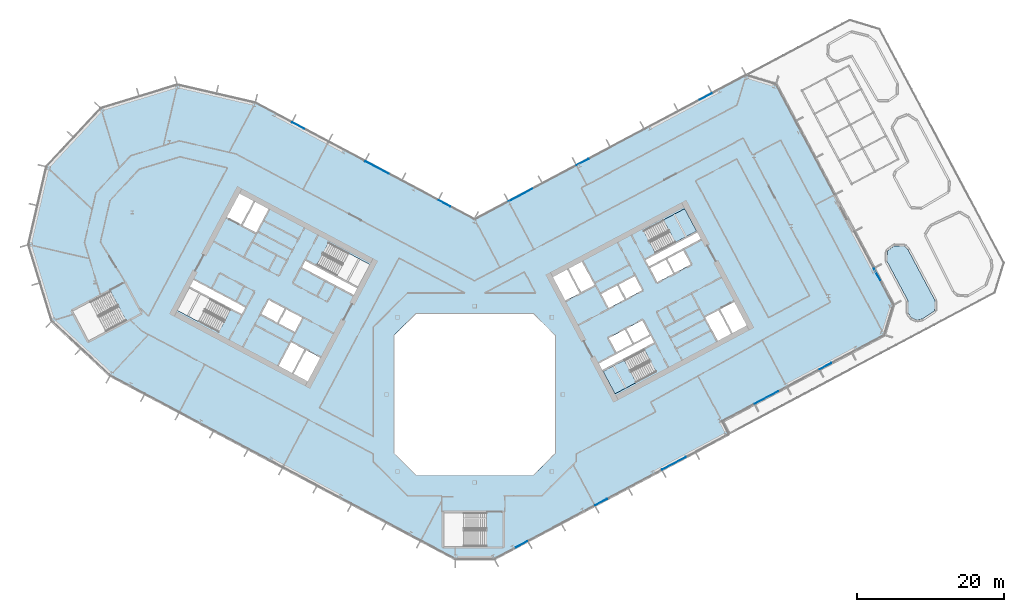
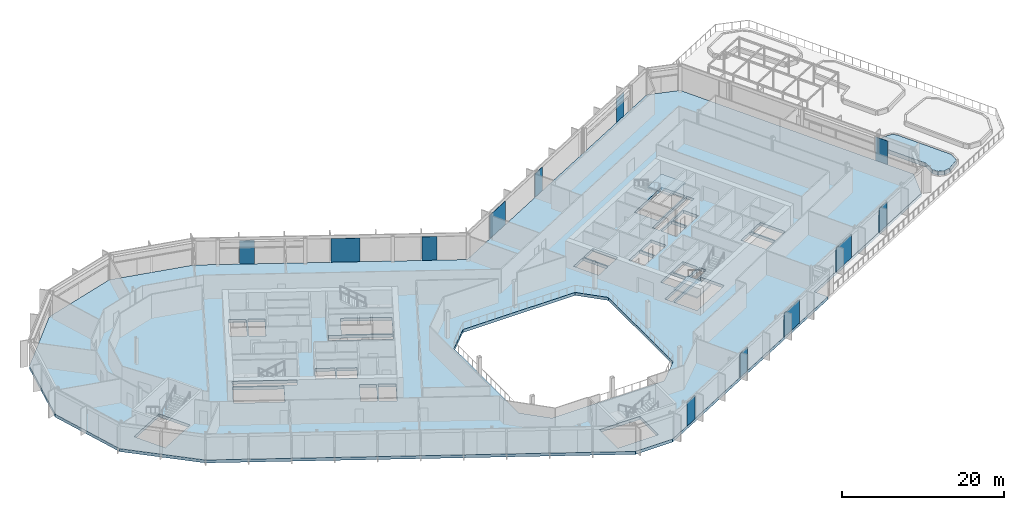
# One storey, part 15 of 34: 12 plates, 4 slabs, 7 elements without a shape of their own.
"""IFC4 building model written with IfcOpenShell, lengths in metres."""

from ifc_helpers import new_model, si_unit, direction, frame, origin, origin_2d, place, context, subcontext, project, spatial, polyline, rectangle, outline, extrude, material, layer, layer_set, type_object, element, aggregate, save


model = new_model("IFC4")

# Units and contexts
model_context = context("Model", 3, precision=1e-05, world=origin(), true_north=direction((0.0, 1.0)))
body_context = subcontext(model_context, "Body", "Model", "MODEL_VIEW")
ifc_project = project(units=[si_unit("LENGTHUNIT", "METRE"), si_unit("AREAUNIT", "SQUARE_METRE"), si_unit("VOLUMEUNIT", "CUBIC_METRE"), si_unit("PLANEANGLEUNIT", "RADIAN"), si_unit("MASSUNIT", "GRAM", prefix="KILO")], contexts=[model_context])

# Site, building, storey
site_placement = place(None, origin())
site = spatial("IfcSite", under=ifc_project, at=site_placement, CompositionType="ELEMENT")
building_placement = place(site_placement, origin())
building = spatial("IfcBuilding", under=site, at=building_placement, Name="Cormorant Relay Tower", CompositionType="ELEMENT")
storey_placement = place(building_placement, frame((0.0, 0.0, 118.199951171875)))
storey = spatial("IfcBuildingStorey", under=building, at=storey_placement, Name="L23", CompositionType="ELEMENT", Elevation=118.199951171875)

# Curtain wall, plates
ifc_material_1 = material(Name="Aluminium 6063-T6 anodised bronze", Category="aluminium")
ifc_layer_1 = layer(ifc_material_1, 0.199951171875)
ifc_layer_set_1 = layer_set([ifc_layer_1], Name="CW1 unitised bronze curtain wall with vertical fins")
curtain_wall_type = type_object("IfcCurtainWallType", Name="CW1 unitised bronze curtain wall with vertical fins", PredefinedType="NOTDEFINED", material=ifc_layer_set_1)
curtain_wall_1_placement = place(storey_placement, origin())
curtain_wall_1 = element("IfcCurtainWall", 1, at=curtain_wall_1_placement, inside=storey, type_object=curtain_wall_type, Name="CW1 curtain wall 2", PredefinedType="NOTDEFINED")
ifc_material_2 = material(Name="Tinted laminated glass", Category="glass")
ifc_layer_2 = layer(ifc_material_2, 0.0400390625)
ifc_layer_set_2 = layer_set([ifc_layer_2], Name="CW1 tinted vision panel 1800 module")
plate_type_1 = type_object("IfcPlateType", Name="CW1 tinted vision panel 1800 module", PredefinedType="CURTAIN_PANEL", material=ifc_layer_set_2)
plate_1_placement = place(storey_placement, frame((6.359130859375, -20.42529296875, 0.0), z_axis=(0.0, 0.0, 1.0), x_axis=(0.882947592859, 0.469471562786, 0.0)))
plate_1 = element("IfcPlate", 2, at=plate_1_placement, type_object=plate_type_1, Name="CW1 panel V01", PredefinedType="CURTAIN_PANEL", context=body_context, shape_type="SweptSolid", body=[
    extrude(rectangle(XDim=1.800048828125, YDim=0.0400390625, at=origin_2d()), origin(), (0.0, 0.0, 1.0), 3.550048828125),
])
plate_2_placement = place(storey_placement, frame((17.20458984375, -14.65869140625, 0.0), z_axis=(0.0, 0.0, 1.0), x_axis=(0.882947592859, 0.469471562786, 0.0)))
plate_2 = element("IfcPlate", 3, at=plate_2_placement, type_object=plate_type_1, Name="CW1 panel V03", PredefinedType="CURTAIN_PANEL", context=body_context, shape_type="SweptSolid", body=[
    extrude(rectangle(XDim=1.800048828125, YDim=0.0400390625, at=origin_2d()), origin(), (0.0, 0.0, 1.0), 3.550048828125),
])

# Curtain wall, plate
curtain_wall_2_placement = place(storey_placement, origin())
curtain_wall_2 = element("IfcCurtainWall", 4, at=curtain_wall_2_placement, inside=storey, type_object=curtain_wall_type, Name="CW1 curtain wall 4", PredefinedType="NOTDEFINED")
plate_3_placement = place(storey_placement, frame((47.757080078125, 3.851318359375, 0.0), z_axis=(0.0, 0.0, 1.0), x_axis=(0.882947592859, 0.469471562786, 0.0)))
plate_3 = element("IfcPlate", 5, at=plate_3_placement, type_object=plate_type_1, Name="CW1 panel V03", PredefinedType="CURTAIN_PANEL", context=body_context, shape_type="SweptSolid", body=[
    extrude(rectangle(XDim=1.800048828125, YDim=0.0400390625, at=origin_2d()), origin(), (0.0, 0.0, 1.0), 3.550048828125),
])

curtain_wall_3_placement = place(storey_placement, origin())
curtain_wall_3 = element("IfcCurtainWall", 6, at=curtain_wall_3_placement, inside=storey, type_object=curtain_wall_type, Name="CW1 curtain wall 6", PredefinedType="NOTDEFINED")
plate_4_placement = place(storey_placement, frame((54.771728515625, 16.315185546875, 0.0), z_axis=(0.0, 0.0, 1.0), x_axis=(-0.469471562786, 0.882947592859, 0.0)))
plate_4 = element("IfcPlate", 7, at=plate_4_placement, type_object=plate_type_1, Name="CW1 panel V01", PredefinedType="CURTAIN_PANEL", context=body_context, shape_type="SweptSolid", body=[
    extrude(rectangle(XDim=1.800048828125, YDim=0.0400390625, at=origin_2d()), origin(), (0.0, 0.0, 1.0), 3.550048828125),
])
aggregate(curtain_wall_3, [plate_4])

# Curtain wall, plates
curtain_wall_4_placement = place(storey_placement, origin())
curtain_wall_4 = element("IfcCurtainWall", 8, at=curtain_wall_4_placement, inside=storey, type_object=curtain_wall_type, Name="CW1 curtain wall 8", PredefinedType="NOTDEFINED")
plate_5_placement = place(storey_placement, frame((31.449951171875, 40.52880859375, 0.0), z_axis=(0.0, 0.0, 1.0), x_axis=(-0.882947592859, -0.469471562786, 0.0)))
plate_5 = element("IfcPlate", 9, at=plate_5_placement, type_object=plate_type_1, Name="CW1 panel V01", PredefinedType="CURTAIN_PANEL", context=body_context, shape_type="SweptSolid", body=[
    extrude(rectangle(XDim=1.800048828125, YDim=0.0400390625, at=origin_2d()), origin(), (0.0, 0.0, 1.0), 3.550048828125),
])
plate_6_placement = place(storey_placement, frame((14.702880859375, 31.624267578125, 0.0), z_axis=(0.0, 0.0, 1.0), x_axis=(-0.882947592859, -0.469471562786, 0.0)))
plate_6 = element("IfcPlate", 10, at=plate_6_placement, type_object=plate_type_1, Name="CW1 panel V04", PredefinedType="CURTAIN_PANEL", context=body_context, shape_type="SweptSolid", body=[
    extrude(rectangle(XDim=1.800048828125, YDim=0.0400390625, at=origin_2d()), origin(), (0.0, 0.0, 1.0), 3.550048828125),
])

curtain_wall_5_placement = place(storey_placement, origin())
curtain_wall_5 = element("IfcCurtainWall", 11, at=curtain_wall_5_placement, inside=storey, type_object=curtain_wall_type, Name="CW1 curtain wall 9", PredefinedType="NOTDEFINED")
plate_7_placement = place(storey_placement, frame((-4.108642578125, 25.9912109375, 0.0), z_axis=(0.0, 0.0, 1.0), x_axis=(-0.882947592859, 0.469471562786, 0.0)))
plate_7 = element("IfcPlate", 12, at=plate_7_placement, type_object=plate_type_1, Name="CW1 panel V01", PredefinedType="CURTAIN_PANEL", context=body_context, shape_type="SweptSolid", body=[
    extrude(rectangle(XDim=1.800048828125, YDim=0.0400390625, at=origin_2d()), origin(), (0.0, 0.0, 1.0), 3.550048828125),
])
plate_8_placement = place(storey_placement, frame((-24.0244140625, 36.580810546875, 0.0), z_axis=(0.0, 0.0, 1.0), x_axis=(-0.882947592859, 0.469471562786, 0.0)))
plate_8 = element("IfcPlate", 13, at=plate_8_placement, type_object=plate_type_1, Name="CW1 panel V05", PredefinedType="CURTAIN_PANEL", context=body_context, shape_type="SweptSolid", body=[
    extrude(rectangle(XDim=1.800048828125, YDim=0.0400390625, at=origin_2d()), origin(), (0.0, 0.0, 1.0), 3.550048828125),
])

# Plate
ifc_material_3 = material(Name="Tinted laminated glass", Category="glass")
ifc_layer_3 = layer(ifc_material_3, 0.0400390625)
ifc_layer_set_3 = layer_set([ifc_layer_3], Name="CW1 tinted vision panel 3600 module")
plate_type_2 = type_object("IfcPlateType", Name="CW1 tinted vision panel 3600 module", PredefinedType="CURTAIN_PANEL", material=ifc_layer_set_3)
plate_9_placement = place(storey_placement, frame((27.122802734375, -9.38525390625, 0.0), z_axis=(0.0, 0.0, 1.0), x_axis=(0.882947592859, 0.469471562786, 0.0)))
plate_9 = element("IfcPlate", 14, at=plate_9_placement, type_object=plate_type_2, Name="CW1 panel V05", PredefinedType="CURTAIN_PANEL", context=body_context, shape_type="SweptSolid", body=[
    extrude(rectangle(XDim=3.60009765625, YDim=0.0400390625, at=origin_2d()), origin(), (0.0, 0.0, 1.0), 3.550048828125),
])

aggregate(curtain_wall_1, [plate_1, plate_2, plate_9])

plate_10_placement = place(storey_placement, frame((39.72216796875, -0.4208984375, 0.0), z_axis=(0.0, 0.0, 1.0), x_axis=(0.882947592859, 0.469471562786, 0.0)))
plate_10 = element("IfcPlate", 15, at=plate_10_placement, type_object=plate_type_2, Name="CW1 panel V01", PredefinedType="CURTAIN_PANEL", context=body_context, shape_type="SweptSolid", body=[
    extrude(rectangle(XDim=3.60009765625, YDim=0.0400390625, at=origin_2d()), origin(), (0.0, 0.0, 1.0), 3.550048828125),
])

aggregate(curtain_wall_2, [plate_10, plate_3])

plate_11_placement = place(storey_placement, frame((6.26318359375, 27.136962890625, 0.0), z_axis=(0.0, 0.0, 1.0), x_axis=(-0.882947592859, -0.469471562786, 0.0)))
plate_11 = element("IfcPlate", 16, at=plate_11_placement, type_object=plate_type_2, Name="CW1 panel V06", PredefinedType="CURTAIN_PANEL", context=body_context, shape_type="SweptSolid", body=[
    extrude(rectangle(XDim=3.60009765625, YDim=0.0400390625, at=origin_2d()), origin(), (0.0, 0.0, 1.0), 3.550048828125),
])

aggregate(curtain_wall_4, [plate_5, plate_6, plate_11])

plate_12_placement = place(storey_placement, frame((-13.27197265625, 30.86328125, 0.0), z_axis=(0.0, 0.0, 1.0), x_axis=(-0.882947592859, 0.469471562786, 0.0)))
plate_12 = element("IfcPlate", 17, at=plate_12_placement, type_object=plate_type_2, Name="CW1 panel V03", PredefinedType="CURTAIN_PANEL", context=body_context, shape_type="SweptSolid", body=[
    extrude(rectangle(XDim=3.60009765625, YDim=0.0400390625, at=origin_2d()), origin(), (0.0, 0.0, 1.0), 3.550048828125),
])

aggregate(curtain_wall_5, [plate_7, plate_12, plate_8])

# Stair, slab
ifc_material_4 = material(Name="Concrete 40 MPa", Category="concrete")
stair_type = type_object("IfcStairType", Name="Exit stair 1500", PredefinedType="HALF_TURN_STAIR", material=ifc_material_4)
stair_1_placement = place(storey_placement, origin())
stair_1 = element("IfcStair", 18, at=stair_1_placement, inside=storey, type_object=stair_type, Name="L23 Stair", PredefinedType="HALF_TURN_STAIR")
ifc_material_5 = material(Name="Concrete 40 MPa", Category="concrete")
ifc_layer_4 = layer(ifc_material_5, 0.199951171875)
ifc_layer_set_4 = layer_set([ifc_layer_4], Name="Exit stair landing 200")
slab_type_1 = type_object("IfcSlabType", Name="Exit stair landing 200", PredefinedType="LANDING", material=ifc_layer_set_4)
slab_1_placement = place(storey_placement, frame((0.0, 0.0, 1.800048828125)))
slab_1 = element("IfcSlab", 19, at=slab_1_placement, type_object=slab_type_1, Name="B1 landing 1", PredefinedType="LANDING", context=body_context, shape_type="SweptSolid", body=[
    extrude(outline(polyline([(20.36767578125, 4.6572265625), (17.48046875, 3.1220703125), (19.10009765625, 0.075927734375), (21.9873046875, 1.611083984375), (20.36767578125, 4.6572265625)])), origin(), (0.0, 0.0, 1.0), 0.199951171875),
])
aggregate(stair_1, [slab_1])

stair_2_placement = place(storey_placement, origin())
stair_2 = element("IfcStair", 20, at=stair_2_placement, inside=storey, type_object=stair_type, Name="L23 Stair", PredefinedType="HALF_TURN_STAIR")
slab_2_placement = place(storey_placement, frame((0.0, 0.0, 1.800048828125)))
slab_2 = element("IfcSlab", 21, at=slab_2_placement, type_object=slab_type_1, Name="B2 landing 1", PredefinedType="LANDING", context=body_context, shape_type="SweptSolid", body=[
    extrude(outline(polyline([(27.3115234375, 20.6943359375), (30.19873046875, 22.2294921875), (28.5791015625, 25.275634765625), (25.69189453125, 23.740478515625), (27.3115234375, 20.6943359375)])), origin(), (0.0, 0.0, 1.0), 0.199951171875),
])
aggregate(stair_2, [slab_2])

# Slabs
ifc_material_6 = material(Name="Concrete 40 MPa", Category="concrete")
ifc_layer_5 = layer(ifc_material_6, 0.449951171875)
ifc_layer_set_5 = layer_set([ifc_layer_5], Name="Flat plate 450")
slab_type_2 = type_object("IfcSlabType", Name="Flat plate 450", PredefinedType="FLOOR", material=ifc_layer_set_5)
slab_3_placement = place(storey_placement, frame((0.0, 0.0, -0.449951171875)))
element("IfcSlab", 22, at=slab_3_placement, inside=storey, type_object=slab_type_2, Name="Floor slab L23", PredefinedType="FLOOR", context=body_context, shape_type="SweptSolid", body=[
    extrude(outline(polyline([(-60.7197265625, 20.393310546875), (-58.2744140625, 30.985107421875), (-50.86083984375, 38.935302734375), (-40.465576171875, 42.11328125), (-29.873779296875, 39.668212890625), (0.0, 23.783935546875), (36.937255859375, 43.423828125), (40.99462890625, 42.18359375), (56.95654296875, 12.1630859375), (55.71630859375, 8.10595703125), (33.642578125, -3.630859375), (34.581298828125, -5.396728515625), (2.648681640625, -22.37548828125), (-2.648681640625, -22.37548828125), (-49.591552734375, 2.584228515625), (-57.541748046875, 9.997802734375), (-60.7197265625, 20.393310546875)]), holes=[polyline([(11.0, -8.0), (11.0, 8.0), (8.0, 11.0), (-8.0, 11.0), (-11.0, 8.0), (-11.0, -8.0), (-8.0, -11.0), (8.0, -11.0), (11.0, -8.0)]), polyline([(-4.199951171875, -16.125), (-4.199951171875, -20.675048828125), (1.60009765625, -20.675048828125), (1.60009765625, -16.125), (-4.199951171875, -16.125)]), polyline([(-22.95458984375, 6.03271484375), (-24.668212890625, 2.81005859375), (-22.725830078125, 1.777099609375), (-21.01220703125, 5.0), (-23.04296875, 6.07958984375), (-22.95458984375, 6.03271484375)]), polyline([(-24.985595703125, 7.112548828125), (-26.69921875, 3.889892578125), (-24.844970703125, 2.90380859375), (-23.13134765625, 6.126708984375), (-23.04296875, 6.07958984375), (-24.985595703125, 7.112548828125)]), polyline([(-24.481201171875, 8.48681640625), (-23.448486328125, 10.42919921875), (-25.656005859375, 11.602783203125), (-26.688720703125, 9.660400390625), (-24.481201171875, 8.48681640625)]), polyline([(-49.57861328125, 14.0537109375), (-54.69970703125, 11.330810546875), (-52.563720703125, 7.3134765625), (-47.442626953125, 10.036376953125), (-49.57861328125, 14.0537109375)]), polyline([(-25.83251953125, 11.69677734375), (-28.039794921875, 12.870361328125), (-29.07275390625, 10.927978515625), (-26.865234375, 9.75439453125), (-25.83251953125, 11.69677734375)]), polyline([(-38.847900390625, 14.483154296875), (-40.46728515625, 11.43701171875), (-34.860595703125, 8.455810546875), (-33.240966796875, 11.502197265625), (-38.847900390625, 14.483154296875)]), polyline([(-38.260986328125, 15.5869140625), (-38.75390625, 14.659912109375), (-31.690185546875, 10.904052734375), (-31.197265625, 11.8310546875), (-38.260986328125, 15.5869140625)]), polyline([(14.3056640625, 13.779052734375), (12.592041015625, 17.001708984375), (10.649658203125, 15.968994140625), (12.36328125, 12.74609375), (14.39404296875, 13.825927734375), (14.3056640625, 13.779052734375)]), polyline([(16.33642578125, 14.85888671875), (14.622802734375, 18.08154296875), (12.768798828125, 17.095703125), (14.482421875, 13.872802734375), (14.39404296875, 13.825927734375), (16.33642578125, 14.85888671875)]), polyline([(-16.481689453125, 13.520263671875), (-15.989013671875, 14.447509765625), (-23.052490234375, 18.203125), (-23.54541015625, 17.276123046875), (-16.481689453125, 13.520263671875)]), polyline([(-21.501708984375, 17.605224609375), (-15.89501953125, 14.6240234375), (-14.275390625, 17.670166015625), (-19.882080078125, 20.6513671875), (-21.501708984375, 17.605224609375)]), polyline([(-31.611572265625, 22.980712890625), (-29.75732421875, 21.99462890625), (-28.043701171875, 25.217529296875), (-29.89794921875, 26.203369140625), (-31.611572265625, 22.980712890625)]), polyline([(-32.01708984375, 27.330078125), (-33.73046875, 24.107421875), (-31.7880859375, 23.074462890625), (-30.074462890625, 26.29736328125), (-32.01708984375, 27.330078125)]), polyline([(17.48046875, 3.1220703125), (19.10009765625, 0.07568359375), (24.706787109375, 3.056884765625), (23.087158203125, 6.10302734375), (17.48046875, 3.1220703125)]), polyline([(16.8935546875, 4.2255859375), (17.386474609375, 3.298583984375), (24.4501953125, 7.054443359375), (23.957275390625, 7.9814453125), (16.8935546875, 4.2255859375)]), polyline([(20.446533203125, 8.8330078125), (18.239013671875, 7.6591796875), (19.27197265625, 5.716796875), (21.479248046875, 6.890380859375), (20.446533203125, 8.8330078125)]), polyline([(21.656005859375, 6.984375), (23.86328125, 8.158203125), (22.830322265625, 10.1005859375), (20.623046875, 8.927001953125), (21.656005859375, 6.984375)]), polyline([(33.197021484375, 11.478515625), (31.3427734375, 10.49267578125), (33.056396484375, 7.27001953125), (34.910400390625, 8.255859375), (33.197021484375, 11.478515625)]), polyline([(33.37353515625, 11.572509765625), (35.087158203125, 8.349609375), (37.029541015625, 9.382568359375), (35.31591796875, 12.605224609375), (33.37353515625, 11.572509765625)]), polyline([(17.19384765625, 13.67236328125), (18.2265625, 11.72998046875), (20.43408203125, 12.903564453125), (19.401123046875, 14.84619140625), (17.19384765625, 13.67236328125)]), polyline([(20.610595703125, 12.99755859375), (22.81787109375, 14.171142578125), (21.78515625, 16.113525390625), (19.57763671875, 14.93994140625), (20.610595703125, 12.99755859375)]), polyline([(26.023193359375, 18.3671875), (23.81591796875, 17.193359375), (24.8486328125, 15.2509765625), (27.05615234375, 16.424560546875), (26.023193359375, 18.3671875)]), polyline([(29.440185546875, 17.692138671875), (28.4072265625, 19.634765625), (26.19970703125, 18.4609375), (27.232666015625, 16.5185546875), (29.440185546875, 17.692138671875)]), polyline([(30.78564453125, 21.125732421875), (30.29248046875, 22.052978515625), (23.22900390625, 18.297119140625), (23.721923828125, 17.3701171875), (30.78564453125, 21.125732421875)]), polyline([(24.592041015625, 19.248291015625), (30.19873046875, 22.2294921875), (28.5791015625, 25.275634765625), (22.972412109375, 22.29443359375), (24.592041015625, 19.248291015625)])]), origin(), (0.0, 0.0, 1.0), 0.449951171875),
])
ifc_material_7 = material(Name="Planting soil")
ifc_layer_6 = layer(ifc_material_7, 0.60009765625)
ifc_layer_set_6 = layer_set([ifc_layer_6], Name="PLANTER bed")
slab_type_3 = type_object("IfcSlabType", Name="PLANTER bed", PredefinedType="FLOOR", material=ifc_layer_set_6)
slab_4_placement = place(storey_placement, origin())
element("IfcSlab", 23, at=slab_4_placement, inside=storey, type_object=slab_type_3, Name="Terrace PLANTER 23-01", PredefinedType="FLOOR", context=body_context, shape_type="SweptSolid", body=[
    extrude(outline(polyline([(60.158203125, 10.11328125), (60.946533203125, 10.268310546875), (62.608642578125, 11.375), (62.65771484375, 12.77880859375), (58.995849609375, 19.666015625), (58.52392578125, 20.171875), (57.11669921875, 20.220947265625), (56.17138671875, 19.511962890625), (56.1220703125, 18.099365234375), (58.99609375, 12.6943359375), (59.009765625, 11.060791015625), (59.44091796875, 10.412353515625), (60.158203125, 10.11328125)])), origin(), (0.0, 0.0, 1.0), 0.60009765625),
])

save(model, "model.ifc")
